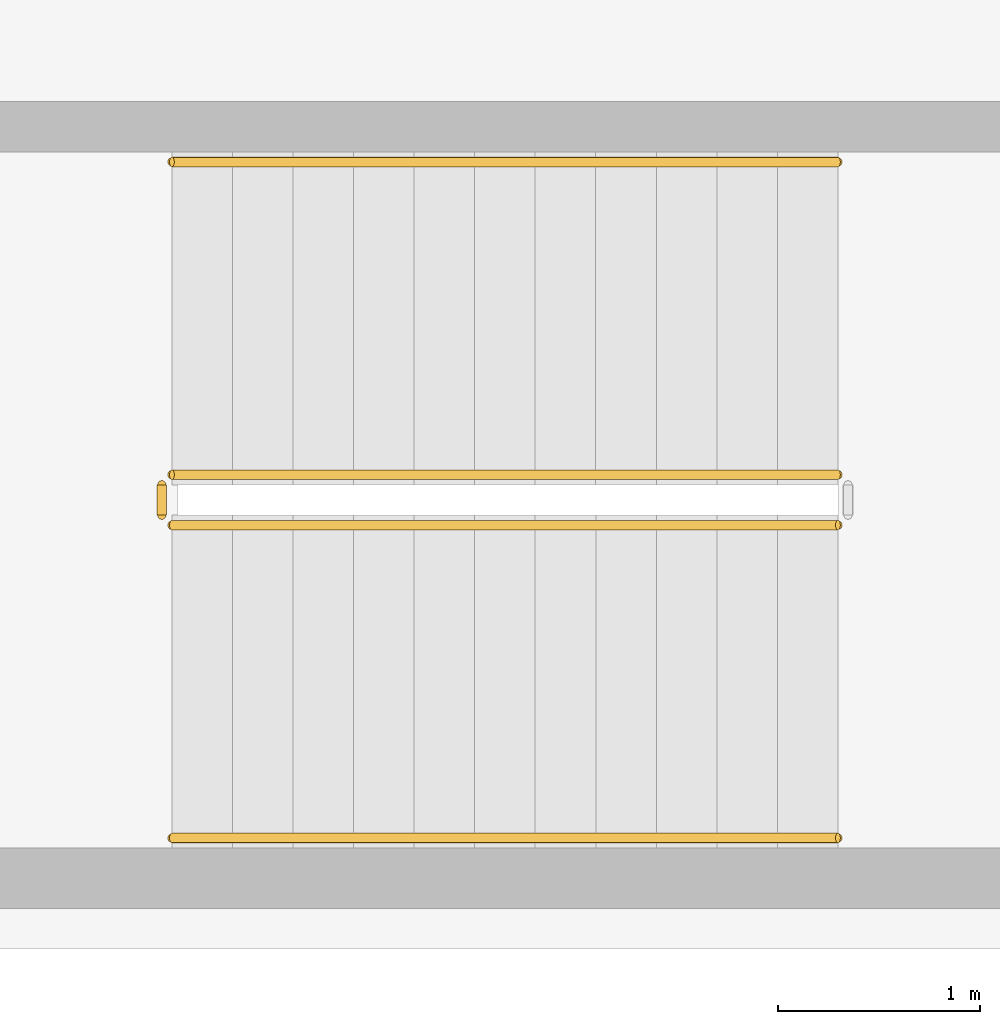
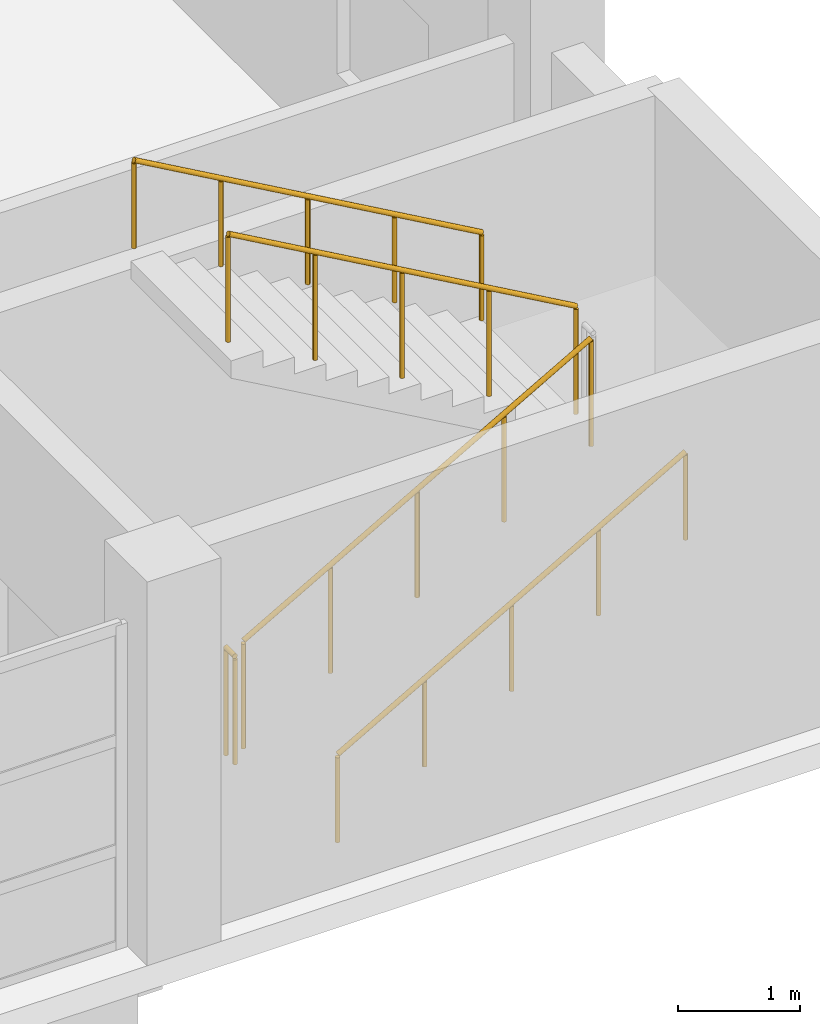
# One storey, part 38 of 42: 5 railings.
"""IFC4 building model written with IfcOpenShell, lengths in metres."""

from ifc_helpers import new_model, si_unit, direction, frame, origin, origin_2d, place, context, subcontext, project, spatial, circle, extrude, material, type_object, element, save


model = new_model("IFC4")

# Units and contexts
model_context = context("Model", 3, precision=1e-05, world=origin(), true_north=direction((0.0, 1.0)))
body_context = subcontext(model_context, "Body", "Model", "MODEL_VIEW")
ifc_project = project(units=[si_unit("LENGTHUNIT", "METRE"), si_unit("AREAUNIT", "SQUARE_METRE"), si_unit("VOLUMEUNIT", "CUBIC_METRE"), si_unit("PLANEANGLEUNIT", "RADIAN"), si_unit("MASSUNIT", "GRAM", prefix="KILO")], contexts=[model_context])

# Site, building, storey
site_placement = place(None, origin())
site = spatial("IfcSite", under=ifc_project, at=site_placement, CompositionType="ELEMENT")
building_placement = place(site_placement, origin())
building = spatial("IfcBuilding", under=site, at=building_placement, Name="Corbel Stack Research Tower", CompositionType="ELEMENT")
storey_placement = place(building_placement, frame((0.0, 0.0, 11.300048828125)))
storey = spatial("IfcBuildingStorey", under=building, at=storey_placement, Name="L02", CompositionType="ELEMENT", Elevation=11.300048828125)

# Railings
ifc_material_1 = material(Name="Steel S235", Category="steel")
railing_type_1 = type_object("IfcRailingType", Name="HR1 guard 1100", PredefinedType="GUARDRAIL", material=ifc_material_1)
railing_1_placement = place(storey_placement, frame((95.47509765625, -21.89990234375, 0.1708984375)))
element("IfcRailing", 1, at=railing_1_placement, inside=storey, type_object=railing_type_1, Name="L02 HS3 stair guard 1", PredefinedType="GUARDRAIL", context=body_context, shape_type="SweptSolid", body=[
    extrude(circle(Radius=0.02392578125, at=origin_2d()), frame((0.0, 0.0, 1.076171875), z_axis=(0.868974139896, 0.0, 0.494857498874), x_axis=(0.0, 1.0, 0.0)), (0.0, 0.0, 1.0), 3.79736328125),
    extrude(circle(Radius=0.02099609375, at=origin_2d()), origin(), (0.0, 0.0, 1.0), 1.052001953125),
    extrude(circle(Radius=0.02099609375, at=origin_2d()), frame((0.824951171875, 0.0, 0.4697265625)), (0.0, 0.0, 1.0), 1.052001953125),
    extrude(circle(Radius=0.02099609375, at=origin_2d()), frame((1.64990234375, 0.0, 0.939453125)), (0.0, 0.0, 1.0), 1.052001953125),
    extrude(circle(Radius=0.02099609375, at=origin_2d()), frame((2.474853515625, 0.0, 1.409423828125)), (0.0, 0.0, 1.0), 1.052001953125),
    extrude(circle(Radius=0.02099609375, at=origin_2d()), frame((3.2998046875, 0.0, 1.879150390625)), (0.0, 0.0, 1.0), 1.052001953125),
])
railing_2_placement = place(storey_placement, frame((98.77490234375, -21.64990234375, 2.220703125)))
element("IfcRailing", 2, at=railing_2_placement, inside=storey, type_object=railing_type_1, Name="L02 HS3 stair guard 3", PredefinedType="GUARDRAIL", context=body_context, shape_type="SweptSolid", body=[
    extrude(circle(Radius=0.02392578125, at=origin_2d()), frame((0.0, 0.0, 1.076171875), z_axis=(-0.868974139896, 0.0, 0.494857498874), x_axis=(0.0, -1.0, 0.0)), (0.0, 0.0, 1.0), 3.79736328125),
    extrude(circle(Radius=0.02099609375, at=origin_2d()), origin(), (0.0, 0.0, 1.0), 1.052001953125),
    extrude(circle(Radius=0.02099609375, at=origin_2d()), frame((-0.824951171875, 0.0, 0.4697265625)), (0.0, 0.0, 1.0), 1.052001953125),
    extrude(circle(Radius=0.02099609375, at=origin_2d()), frame((-1.64990234375, 0.0, 0.939453125)), (0.0, 0.0, 1.0), 1.052001953125),
    extrude(circle(Radius=0.02099609375, at=origin_2d()), frame((-2.474853515625, 0.0, 1.409423828125)), (0.0, 0.0, 1.0), 1.052001953125),
    extrude(circle(Radius=0.02099609375, at=origin_2d()), frame((-3.2998046875, 0.0, 1.879150390625)), (0.0, 0.0, 1.0), 1.052001953125),
])
railing_3_placement = place(storey_placement, frame((95.425048828125, -21.85009765625, 0.0)))
element("IfcRailing", 3, at=railing_3_placement, inside=storey, type_object=railing_type_1, Name="L02 HS3 stair guard 4", PredefinedType="GUARDRAIL", context=body_context, shape_type="SweptSolid", body=[
    extrude(circle(Radius=0.02392578125, at=origin_2d()), frame((0.0, 0.0, 1.076171875), z_axis=(0.0, 1.0, 0.0), x_axis=(-1.0, 0.0, 0.0)), (0.0, 0.0, 1.0), 0.150146484375),
    extrude(circle(Radius=0.02099609375, at=origin_2d()), origin(), (0.0, 0.0, 1.0), 1.052001953125),
    extrude(circle(Radius=0.02099609375, at=origin_2d()), frame((0.0, 0.150146484375, 0.0)), (0.0, 0.0, 1.0), 1.052001953125),
])
ifc_material_2 = material(Name="Steel S235", Category="steel")
railing_type_2 = type_object("IfcRailingType", Name="HR2 handrail 900", PredefinedType="HANDRAIL", material=ifc_material_2)
railing_4_placement = place(storey_placement, frame((95.47509765625, -23.449951171875, 0.1708984375)))
element("IfcRailing", 4, at=railing_4_placement, inside=storey, type_object=railing_type_2, Name="L02 HS3 stair handrail 1", PredefinedType="HANDRAIL", context=body_context, shape_type="SweptSolid", body=[
    extrude(circle(Radius=0.02392578125, at=origin_2d()), frame((0.0, 0.0, 0.8759765625), z_axis=(0.868974139896, 0.0, 0.494857498874), x_axis=(0.0, 1.0, 0.0)), (0.0, 0.0, 1.0), 3.79736328125),
    extrude(circle(Radius=0.02099609375, at=origin_2d()), origin(), (0.0, 0.0, 1.0), 0.851806640625),
    extrude(circle(Radius=0.02099609375, at=origin_2d()), frame((0.824951171875, 0.0, 0.4697265625)), (0.0, 0.0, 1.0), 0.851806640625),
    extrude(circle(Radius=0.02099609375, at=origin_2d()), frame((1.64990234375, 0.0, 0.939453125)), (0.0, 0.0, 1.0), 0.851806640625),
    extrude(circle(Radius=0.02099609375, at=origin_2d()), frame((2.474853515625, 0.0, 1.409423828125)), (0.0, 0.0, 1.0), 0.851806640625),
    extrude(circle(Radius=0.02099609375, at=origin_2d()), frame((3.2998046875, 0.0, 1.879150390625)), (0.0, 0.0, 1.0), 0.851806640625),
])
railing_5_placement = place(storey_placement, frame((98.77490234375, -20.10009765625, 2.220703125)))
element("IfcRailing", 5, at=railing_5_placement, inside=storey, type_object=railing_type_2, Name="L02 HS3 stair handrail 2", PredefinedType="HANDRAIL", context=body_context, shape_type="SweptSolid", body=[
    extrude(circle(Radius=0.02392578125, at=origin_2d()), frame((0.0, 0.0, 0.8759765625), z_axis=(-0.868974139896, 0.0, 0.494857498874), x_axis=(0.0, -1.0, 0.0)), (0.0, 0.0, 1.0), 3.79736328125),
    extrude(circle(Radius=0.02099609375, at=origin_2d()), origin(), (0.0, 0.0, 1.0), 0.851806640625),
    extrude(circle(Radius=0.02099609375, at=origin_2d()), frame((-0.824951171875, 0.0, 0.4697265625)), (0.0, 0.0, 1.0), 0.851806640625),
    extrude(circle(Radius=0.02099609375, at=origin_2d()), frame((-1.64990234375, 0.0, 0.939453125)), (0.0, 0.0, 1.0), 0.851806640625),
    extrude(circle(Radius=0.02099609375, at=origin_2d()), frame((-2.474853515625, 0.0, 1.409423828125)), (0.0, 0.0, 1.0), 0.851806640625),
    extrude(circle(Radius=0.02099609375, at=origin_2d()), frame((-3.2998046875, 0.0, 1.879150390625)), (0.0, 0.0, 1.0), 0.851806640625),
])

save(model, "model.ifc")
